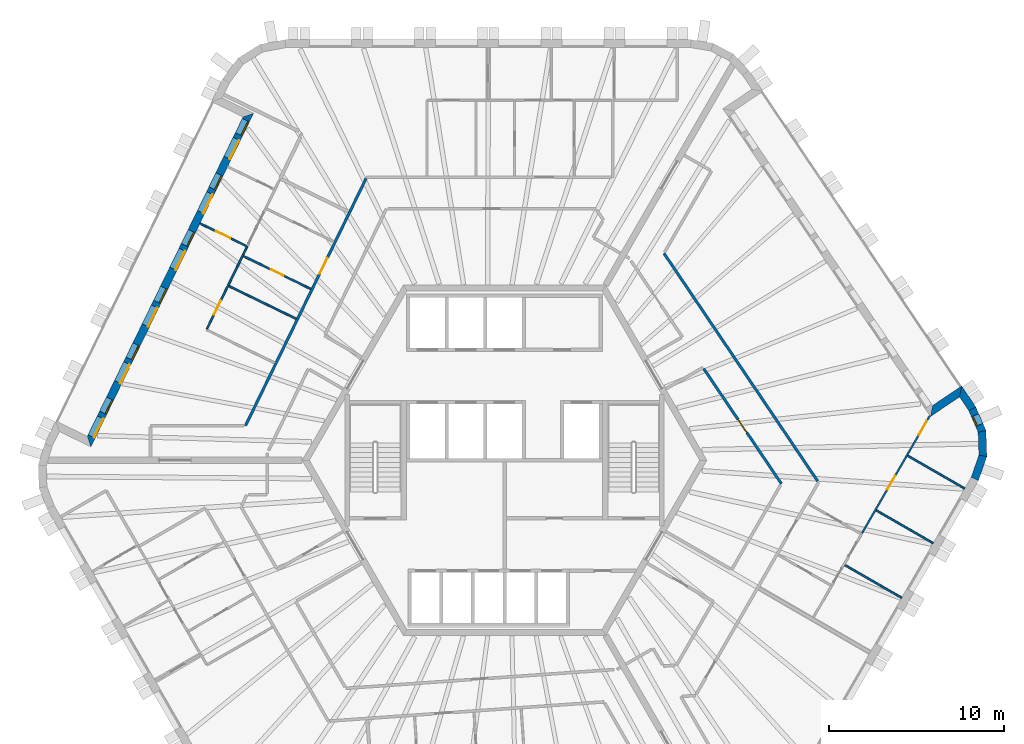
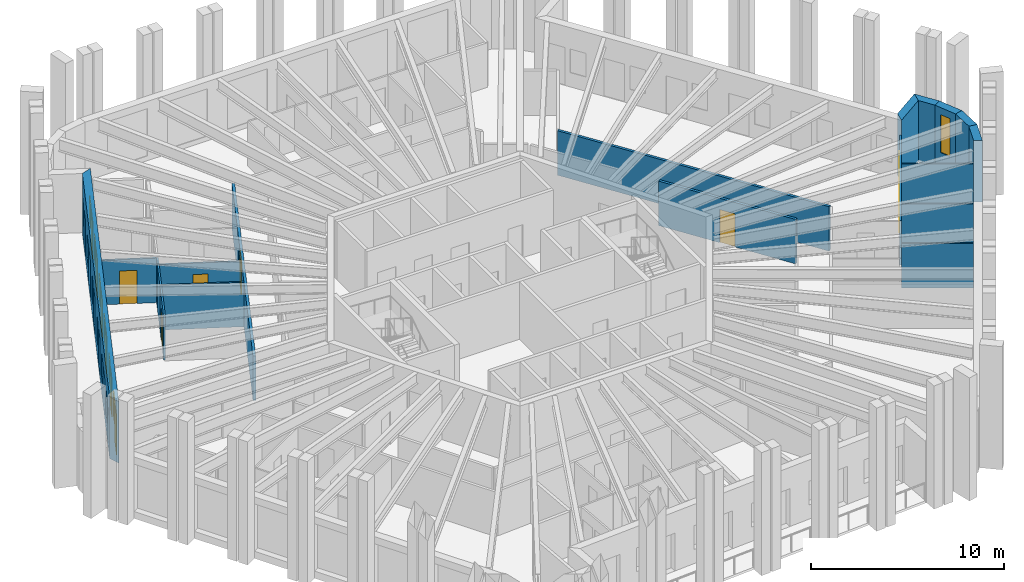
# One storey, part 7 of 12: 19 walls, 13 doors, 7 windows, 20 openings.
"""IFC4 building model written with IfcOpenShell, lengths in metres."""

from ifc_helpers import new_model, si_unit, direction, frame, frame_2d, origin, place, context, subcontext, project, spatial, polyline, rectangle, outline, extrude, material, layer, layer_set, type_object, element, fill, save


model = new_model("IFC4")

# Units and contexts
model_context = context("Model", 3, precision=1e-05, world=origin(), true_north=direction((0.0, 1.0)))
body_context = subcontext(model_context, "Body", "Model", "MODEL_VIEW")
ifc_project = project(units=[si_unit("LENGTHUNIT", "METRE"), si_unit("AREAUNIT", "SQUARE_METRE"), si_unit("VOLUMEUNIT", "CUBIC_METRE"), si_unit("PLANEANGLEUNIT", "RADIAN"), si_unit("MASSUNIT", "GRAM", prefix="KILO")], contexts=[model_context])

# Site, building, storey
site_placement = place(None, origin())
site = spatial("IfcSite", under=ifc_project, at=site_placement, CompositionType="ELEMENT")
building_placement = place(site_placement, origin())
building = spatial("IfcBuilding", under=site, at=building_placement, Name="Tarnside Tower", CompositionType="ELEMENT")
storey_placement = place(building_placement, frame((0.0, 0.0, 361.199951171875)))
storey = spatial("IfcBuildingStorey", under=building, at=storey_placement, Name="L87", CompositionType="ELEMENT", Elevation=361.199951171875)

# Wall
ifc_material_1 = material(Name="Gypsum board partition on steel studs", Category="steel")
ifc_layer_1 = layer(ifc_material_1, 0.10009765625)
ifc_layer_set_1 = layer_set([ifc_layer_1], Name="Bathroom wall 100")
wall_type_1 = type_object("IfcWallType", Name="Bathroom wall 100", PredefinedType="PARTITIONING", material=ifc_layer_set_1)
wall_1_placement = place(storey_placement, frame((-15.777587890625, 9.967041015625, 0.0), z_axis=(0.0, 0.0, 1.0), x_axis=(0.43840337997, 0.898778324411, 0.0)))
element("IfcWall", 1, at=wall_1_placement, inside=storey, type_object=wall_type_1, Name="Bathroom wall 28090", PredefinedType="PARTITIONING", context=body_context, shape_type="SweptSolid", body=[
    extrude(rectangle(XDim=1.900146484375, YDim=0.10009765625, at=frame_2d((0.9501953125, 0.0))), origin(), (0.0, 0.0, 1.0), 2.820068359375),
])

# Wall, opening, door
wall_2_placement = place(storey_placement, frame((-14.899658203125, 11.65283203125, 0.0), z_axis=(0.0, 0.0, 1.0), x_axis=(0.898792594469, -0.438374123469, 0.0)))
wall_2 = element("IfcWall", 2, at=wall_2_placement, inside=storey, type_object=wall_type_1, Name="Bathroom wall 28095", PredefinedType="PARTITIONING", context=body_context, shape_type="SweptSolid", body=[
    extrude(rectangle(XDim=4.27490234375, YDim=0.10009765625, at=frame_2d((2.137451171875, 0.0))), origin(), (0.0, 0.0, 1.0), 2.820068359375),
])
opening_1_placement = place(wall_2_placement, frame((1.75, 0.0, 0.0)))
opening_1 = element("IfcOpeningElement", 3, at=opening_1_placement, cuts=wall_2, Name="Opening D-B1", PredefinedType="OPENING", context=body_context, shape_type="SweptSolid", body=[
    extrude(rectangle(XDim=0.800048828125, YDim=2.10009765625, at=frame_2d((0.39990234375, 1.050048828125))), frame((0.0, 0.06005859375, 0.0), z_axis=(0.0, -1.0, 0.0), x_axis=(1.0, 0.0, 0.0)), (0.0, 0.0, 1.0), 0.1201171875),
])
ifc_material_2 = material(Name="Timber door leaf", Category="wood")
door_type_1 = type_object("IfcDoorType", Name="Bathroom door 800", OperationType="NOTDEFINED", PredefinedType="DOOR", material=ifc_material_2)
door_1_placement = place(opening_1_placement, origin())
door_1 = element("IfcDoor", 4, at=door_1_placement, inside=storey, type_object=door_type_1, Name="Bathroom door 28024", OperationType="SINGLE_SWING_RIGHT", OverallHeight=2.10009765625, OverallWidth=0.800048828125, PredefinedType="DOOR", context=body_context, shape_type="SweptSolid", body=[
    extrude(rectangle(XDim=0.800048828125, YDim=2.10009765625, at=frame_2d((0.39990234375, 1.050048828125))), frame((0.0, 0.02490234375, 0.0), z_axis=(0.0, -1.0, 0.0), x_axis=(1.0, 0.0, 0.0)), (0.0, 0.0, 1.0), 0.050048828125),
])
fill(opening_1, door_1)

# Wall
wall_3_placement = place(storey_placement, frame((-15.732666015625, 9.945068359375, 0.0), z_axis=(0.0, 0.0, 1.0), x_axis=(0.898803568504, -0.438351622837, 0.0)))
element("IfcWall", 5, at=wall_3_placement, inside=storey, type_object=wall_type_1, Name="Bathroom wall 28099", PredefinedType="PARTITIONING", context=body_context, shape_type="SweptSolid", body=[
    extrude(rectangle(XDim=4.275146484375, YDim=0.10009765625, at=frame_2d((2.1376953125, 0.0))), origin(), (0.0, 0.0, 1.0), 2.820068359375),
])

# Wall, opening, door
ifc_layer_2 = layer(ifc_material_1, 0.14990234375)
ifc_layer_set_2 = layer_set([ifc_layer_2], Name="Corridor wall 150 EI 60")
wall_type_2 = type_object("IfcWallType", Name="Corridor wall 150 EI 60", PredefinedType="PARTITIONING", material=ifc_layer_set_2)
wall_4_placement = place(storey_placement, frame((-7.903076171875, 16.074951171875, 0.0), z_axis=(0.0, 0.0, 1.0), x_axis=(-0.438364761272, -0.898797160696, 0.0)))
wall_4 = element("IfcWall", 6, at=wall_4_placement, inside=storey, type_object=wall_type_2, Name="Corridor wall 28002", PredefinedType="PARTITIONING", context=body_context, shape_type="SweptSolid", body=[
    extrude(rectangle(XDim=15.687744140625, YDim=0.14990234375, at=frame_2d((7.84375, 0.0))), origin(), (0.0, 0.0, 1.0), 2.820068359375),
])
opening_2_placement = place(wall_4_placement, frame((5.041748046875, 0.0, 0.0)))
opening_2 = element("IfcOpeningElement", 7, at=opening_2_placement, cuts=wall_4, Name="Opening D-E1", PredefinedType="OPENING", context=body_context, shape_type="SweptSolid", body=[
    extrude(rectangle(XDim=1.0, YDim=2.10009765625, at=frame_2d((0.5, 1.050048828125))), frame((0.0, 0.0849609375, 0.0), z_axis=(0.0, -1.0, 0.0), x_axis=(1.0, 0.0, 0.0)), (0.0, 0.0, 1.0), 0.169921875),
])
door_type_2 = type_object("IfcDoorType", Name="Unit entrance door 1000 FD30S", OperationType="NOTDEFINED", PredefinedType="DOOR", material=ifc_material_2)
door_2_placement = place(opening_2_placement, origin())
door_2 = element("IfcDoor", 8, at=door_2_placement, inside=storey, type_object=door_type_2, Name="Unit door 28015", OperationType="SINGLE_SWING_LEFT", OverallHeight=2.10009765625, OverallWidth=1.0, PredefinedType="DOOR", context=body_context, shape_type="SweptSolid", body=[
    extrude(rectangle(XDim=1.0, YDim=2.10009765625, at=frame_2d((0.5, 1.050048828125))), frame((0.0, 0.02490234375, 0.0), z_axis=(0.0, -1.0, 0.0), x_axis=(1.0, 0.0, 0.0)), (0.0, 0.0, 1.0), 0.050048828125),
])
fill(opening_2, door_2)

# Wall
wall_5_placement = place(storey_placement, frame((17.872802734375, -1.193359375, 0.0), z_axis=(0.0, 0.0, 1.0), x_axis=(-0.559188435605, 0.829040586151, 0.0)))
element("IfcWall", 9, at=wall_5_placement, inside=storey, type_object=wall_type_2, Name="Corridor wall 28054", PredefinedType="PARTITIONING", context=body_context, shape_type="SweptSolid", body=[
    extrude(rectangle(XDim=15.687744140625, YDim=0.14990234375, at=frame_2d((7.84375, 0.0))), origin(), (0.0, 0.0, 1.0), 2.820068359375),
])

# Wall, opening, door
wall_6_placement = place(storey_placement, frame((11.368408203125, 5.231201171875, 0.0), z_axis=(0.0, 0.0, 1.0), x_axis=(0.55919388604, -0.829036909803, 0.0)))
wall_6 = element("IfcWall", 10, at=wall_6_placement, inside=storey, type_object=wall_type_2, Name="Corridor wall 28060", PredefinedType="PARTITIONING", context=body_context, shape_type="SweptSolid", body=[
    extrude(rectangle(XDim=7.921875, YDim=0.14990234375, at=frame_2d((3.9609375, 0.0))), origin(), (0.0, 0.0, 1.0), 2.820068359375),
])
opening_3_placement = place(wall_6_placement, frame((3.510986328125, 0.0, 0.0)))
opening_3 = element("IfcOpeningElement", 11, at=opening_3_placement, cuts=wall_6, Name="Opening D-S1", PredefinedType="OPENING", context=body_context, shape_type="SweptSolid", body=[
    extrude(rectangle(XDim=0.89990234375, YDim=2.10009765625, at=frame_2d((0.449951171875, 1.050048828125))), frame((0.0, 0.0849609375, 0.0), z_axis=(0.0, -1.0, 0.0), x_axis=(1.0, 0.0, 0.0)), (0.0, 0.0, 1.0), 0.169921875),
])
door_type_3 = type_object("IfcDoorType", Name="Service room door 900 FD30S", OperationType="NOTDEFINED", PredefinedType="DOOR", material=ifc_material_2)
door_3_placement = place(opening_3_placement, origin())
door_3 = element("IfcDoor", 12, at=door_3_placement, inside=storey, type_object=door_type_3, Name="Service door 28067", OperationType="SINGLE_SWING_RIGHT", OverallHeight=2.10009765625, OverallWidth=0.89990234375, PredefinedType="DOOR", context=body_context, shape_type="SweptSolid", body=[
    extrude(rectangle(XDim=0.89990234375, YDim=2.10009765625, at=frame_2d((0.449951171875, 1.050048828125))), frame((0.0, 0.02490234375, 0.0), z_axis=(0.0, -1.0, 0.0), x_axis=(1.0, 0.0, 0.0)), (0.0, 0.0, 1.0), 0.050048828125),
])
fill(opening_3, door_3)

# Wall, openings, doors, windows
ifc_material_3 = material(Name="Dark zinc cladding")
ifc_layer_3 = layer(ifc_material_3, 0.10205078125)
ifc_material_4 = material(Name="Concrete C60/75 precast", Category="concrete")
ifc_layer_4 = layer(ifc_material_4, 0.248046875)
ifc_material_5 = material(Name="Mineral wool insulation")
ifc_layer_5 = layer(ifc_material_5, 0.10009765625)
ifc_layer_set_3 = layer_set([ifc_layer_3, ifc_layer_4, ifc_layer_5], Name="Loggia wall 450 zinc faced")
wall_type_3 = type_object("IfcWallType", Name="Loggia wall 450 zinc faced", PredefinedType="SOLIDWALL", material=ifc_layer_set_3)
wall_7_placement = place(storey_placement, frame((-14.618896484375, 19.699462890625, -0.14990234375), z_axis=(0.0, 0.0, 1.0), x_axis=(-0.438373747484, -0.898792777851, 0.0)))
wall_7 = element("IfcWall", 13, at=wall_7_placement, inside=storey, type_object=wall_type_3, Name="Tube wall L87 F2 back 06", PredefinedType="SOLIDWALL", context=body_context, shape_type="SweptSolid", body=[
    extrude(outline(polyline([(0.224853515625, -0.22509765625), (20.50634765625, -0.22509765625), (20.95654296875, 0.22509765625), (-0.224853515625, 0.22509765625), (0.224853515625, -0.22509765625)])), origin(), (0.0, 0.0, 1.0), 3.89990234375),
])
opening_4_placement = place(wall_7_placement, frame((0.324951171875, 0.0, 1.050048828125)))
opening_4 = element("IfcOpeningElement", 14, at=opening_4_placement, cuts=wall_7, Name="Opening WL450", PredefinedType="OPENING", context=body_context, shape_type="SweptSolid", body=[
    extrude(rectangle(XDim=0.89990234375, YDim=1.5, at=frame_2d((0.449951171875, 0.75))), frame((0.0, 0.23486328125, 0.0), z_axis=(0.0, -1.0, 0.0), x_axis=(1.0, 0.0, 0.0)), (0.0, 0.0, 1.0), 0.469970703125),
])
opening_5_placement = place(wall_7_placement, frame((1.52490234375, 0.0, 0.14990234375)))
opening_5 = element("IfcOpeningElement", 15, at=opening_5_placement, cuts=wall_7, Name="Opening DB450", PredefinedType="OPENING", context=body_context, shape_type="SweptSolid", body=[
    extrude(rectangle(XDim=1.199951171875, YDim=2.39990234375, at=frame_2d((0.60009765625, 1.199951171875))), frame((0.0, 0.23486328125, 0.0), z_axis=(0.0, -1.0, 0.0), x_axis=(1.0, 0.0, 0.0)), (0.0, 0.0, 1.0), 0.469970703125),
])
opening_6_placement = place(wall_7_placement, frame((3.765869140625, 0.0, 1.050048828125)))
opening_6 = element("IfcOpeningElement", 16, at=opening_6_placement, cuts=wall_7, Name="Opening WL450", PredefinedType="OPENING", context=body_context, shape_type="SweptSolid", body=[
    extrude(rectangle(XDim=0.89990234375, YDim=1.5, at=frame_2d((0.449951171875, 0.75))), frame((0.0, 0.23486328125, 0.0), z_axis=(0.0, -1.0, 0.0), x_axis=(1.0, 0.0, 0.0)), (0.0, 0.0, 1.0), 0.469970703125),
])
opening_7_placement = place(wall_7_placement, frame((4.9658203125, 0.0, 0.14990234375)))
opening_7 = element("IfcOpeningElement", 17, at=opening_7_placement, cuts=wall_7, Name="Opening DB450", PredefinedType="OPENING", context=body_context, shape_type="SweptSolid", body=[
    extrude(rectangle(XDim=1.199951171875, YDim=2.39990234375, at=frame_2d((0.60009765625, 1.199951171875))), frame((0.0, 0.23486328125, 0.0), z_axis=(0.0, -1.0, 0.0), x_axis=(1.0, 0.0, 0.0)), (0.0, 0.0, 1.0), 0.469970703125),
])
opening_8_placement = place(wall_7_placement, frame((7.36572265625, 0.0, 1.050048828125)))
opening_8 = element("IfcOpeningElement", 18, at=opening_8_placement, cuts=wall_7, Name="Opening WL450", PredefinedType="OPENING", context=body_context, shape_type="SweptSolid", body=[
    extrude(rectangle(XDim=0.89990234375, YDim=1.5, at=frame_2d((0.449951171875, 0.75))), frame((0.0, 0.23486328125, 0.0), z_axis=(0.0, -1.0, 0.0), x_axis=(1.0, 0.0, 0.0)), (0.0, 0.0, 1.0), 0.469970703125),
])
opening_9_placement = place(wall_7_placement, frame((8.56591796875, 0.0, 0.14990234375)))
opening_9 = element("IfcOpeningElement", 19, at=opening_9_placement, cuts=wall_7, Name="Opening DB450", PredefinedType="OPENING", context=body_context, shape_type="SweptSolid", body=[
    extrude(rectangle(XDim=1.199951171875, YDim=2.39990234375, at=frame_2d((0.60009765625, 1.199951171875))), frame((0.0, 0.23486328125, 0.0), z_axis=(0.0, -1.0, 0.0), x_axis=(1.0, 0.0, 0.0)), (0.0, 0.0, 1.0), 0.469970703125),
])
opening_10_placement = place(wall_7_placement, frame((10.9658203125, 0.0, 1.050048828125)))
opening_10 = element("IfcOpeningElement", 20, at=opening_10_placement, cuts=wall_7, Name="Opening WL450", PredefinedType="OPENING", context=body_context, shape_type="SweptSolid", body=[
    extrude(rectangle(XDim=0.89990234375, YDim=1.5, at=frame_2d((0.449951171875, 0.75))), frame((0.0, 0.23486328125, 0.0), z_axis=(0.0, -1.0, 0.0), x_axis=(1.0, 0.0, 0.0)), (0.0, 0.0, 1.0), 0.469970703125),
])
opening_11_placement = place(wall_7_placement, frame((12.165771484375, 0.0, 0.14990234375)))
opening_11 = element("IfcOpeningElement", 21, at=opening_11_placement, cuts=wall_7, Name="Opening DB450", PredefinedType="OPENING", context=body_context, shape_type="SweptSolid", body=[
    extrude(rectangle(XDim=1.199951171875, YDim=2.39990234375, at=frame_2d((0.60009765625, 1.199951171875))), frame((0.0, 0.23486328125, 0.0), z_axis=(0.0, -1.0, 0.0), x_axis=(1.0, 0.0, 0.0)), (0.0, 0.0, 1.0), 0.469970703125),
])
opening_12_placement = place(wall_7_placement, frame((14.56591796875, 0.0, 1.050048828125)))
opening_12 = element("IfcOpeningElement", 22, at=opening_12_placement, cuts=wall_7, Name="Opening WL450", PredefinedType="OPENING", context=body_context, shape_type="SweptSolid", body=[
    extrude(rectangle(XDim=0.89990234375, YDim=1.5, at=frame_2d((0.449951171875, 0.75))), frame((0.0, 0.23486328125, 0.0), z_axis=(0.0, -1.0, 0.0), x_axis=(1.0, 0.0, 0.0)), (0.0, 0.0, 1.0), 0.469970703125),
])
opening_13_placement = place(wall_7_placement, frame((15.765869140625, 0.0, 0.14990234375)))
opening_13 = element("IfcOpeningElement", 23, at=opening_13_placement, cuts=wall_7, Name="Opening DB450", PredefinedType="OPENING", context=body_context, shape_type="SweptSolid", body=[
    extrude(rectangle(XDim=1.199951171875, YDim=2.39990234375, at=frame_2d((0.60009765625, 1.199951171875))), frame((0.0, 0.23486328125, 0.0), z_axis=(0.0, -1.0, 0.0), x_axis=(1.0, 0.0, 0.0)), (0.0, 0.0, 1.0), 0.469970703125),
])
opening_14_placement = place(wall_7_placement, frame((18.006591796875, 0.0, 1.050048828125)))
opening_14 = element("IfcOpeningElement", 24, at=opening_14_placement, cuts=wall_7, Name="Opening WL450", PredefinedType="OPENING", context=body_context, shape_type="SweptSolid", body=[
    extrude(rectangle(XDim=0.89990234375, YDim=1.5, at=frame_2d((0.449951171875, 0.75))), frame((0.0, 0.23486328125, 0.0), z_axis=(0.0, -1.0, 0.0), x_axis=(1.0, 0.0, 0.0)), (0.0, 0.0, 1.0), 0.469970703125),
])
opening_15_placement = place(wall_7_placement, frame((19.20654296875, 0.0, 0.14990234375)))
opening_15 = element("IfcOpeningElement", 25, at=opening_15_placement, cuts=wall_7, Name="Opening DB450", PredefinedType="OPENING", context=body_context, shape_type="SweptSolid", body=[
    extrude(rectangle(XDim=1.199951171875, YDim=2.39990234375, at=frame_2d((0.60009765625, 1.199951171875))), frame((0.0, 0.23486328125, 0.0), z_axis=(0.0, -1.0, 0.0), x_axis=(1.0, 0.0, 0.0)), (0.0, 0.0, 1.0), 0.469970703125),
])
ifc_material_6 = material(Name="Aluminium-framed double glazing", Category="aluminium")
door_type_4 = type_object("IfcDoorType", Name="Balcony sliding door 1200 x 2400 in 450 wall", OperationType="SLIDING_TO_LEFT", PredefinedType="DOOR", material=ifc_material_6)
door_4_placement = place(opening_5_placement, frame((0.0, 0.150146484375, 0.0)))
door_4 = element("IfcDoor", 26, at=door_4_placement, inside=storey, type_object=door_type_4, Name="E.BD.L87.F2.00", OperationType="SLIDING_TO_LEFT", OverallHeight=2.39990234375, OverallWidth=1.199951171875, PredefinedType="DOOR", context=body_context, shape_type="SweptSolid", body=[
    extrude(rectangle(XDim=1.199951171875, YDim=2.39990234375, at=frame_2d((0.60009765625, 1.199951171875))), frame((0.0, 0.02490234375, 0.0), z_axis=(0.0, -1.0, 0.0), x_axis=(1.0, 0.0, 0.0)), (0.0, 0.0, 1.0), 0.050048828125),
])
fill(opening_5, door_4)
door_5_placement = place(opening_7_placement, frame((0.0, 0.150146484375, 0.0)))
door_5 = element("IfcDoor", 27, at=door_5_placement, inside=storey, type_object=door_type_4, Name="E.BD.L87.F2.01", OperationType="SLIDING_TO_LEFT", OverallHeight=2.39990234375, OverallWidth=1.199951171875, PredefinedType="DOOR", context=body_context, shape_type="SweptSolid", body=[
    extrude(rectangle(XDim=1.199951171875, YDim=2.39990234375, at=frame_2d((0.60009765625, 1.199951171875))), frame((0.0, 0.02490234375, 0.0), z_axis=(0.0, -1.0, 0.0), x_axis=(1.0, 0.0, 0.0)), (0.0, 0.0, 1.0), 0.050048828125),
])
fill(opening_7, door_5)
door_6_placement = place(opening_9_placement, frame((0.0, 0.150146484375, 0.0)))
door_6 = element("IfcDoor", 28, at=door_6_placement, inside=storey, type_object=door_type_4, Name="E.BD.L87.F2.02", OperationType="SLIDING_TO_LEFT", OverallHeight=2.39990234375, OverallWidth=1.199951171875, PredefinedType="DOOR", context=body_context, shape_type="SweptSolid", body=[
    extrude(rectangle(XDim=1.199951171875, YDim=2.39990234375, at=frame_2d((0.60009765625, 1.199951171875))), frame((0.0, 0.02490234375, 0.0), z_axis=(0.0, -1.0, 0.0), x_axis=(1.0, 0.0, 0.0)), (0.0, 0.0, 1.0), 0.050048828125),
])
fill(opening_9, door_6)
door_7_placement = place(opening_11_placement, frame((0.0, 0.150146484375, 0.0)))
door_7 = element("IfcDoor", 29, at=door_7_placement, inside=storey, type_object=door_type_4, Name="E.BD.L87.F2.03", OperationType="SLIDING_TO_LEFT", OverallHeight=2.39990234375, OverallWidth=1.199951171875, PredefinedType="DOOR", context=body_context, shape_type="SweptSolid", body=[
    extrude(rectangle(XDim=1.199951171875, YDim=2.39990234375, at=frame_2d((0.60009765625, 1.199951171875))), frame((0.0, 0.02490234375, 0.0), z_axis=(0.0, -1.0, 0.0), x_axis=(1.0, 0.0, 0.0)), (0.0, 0.0, 1.0), 0.050048828125),
])
fill(opening_11, door_7)
door_8_placement = place(opening_13_placement, frame((0.0, 0.150146484375, 0.0)))
door_8 = element("IfcDoor", 30, at=door_8_placement, inside=storey, type_object=door_type_4, Name="E.BD.L87.F2.04", OperationType="SLIDING_TO_LEFT", OverallHeight=2.39990234375, OverallWidth=1.199951171875, PredefinedType="DOOR", context=body_context, shape_type="SweptSolid", body=[
    extrude(rectangle(XDim=1.199951171875, YDim=2.39990234375, at=frame_2d((0.60009765625, 1.199951171875))), frame((0.0, 0.02490234375, 0.0), z_axis=(0.0, -1.0, 0.0), x_axis=(1.0, 0.0, 0.0)), (0.0, 0.0, 1.0), 0.050048828125),
])
fill(opening_13, door_8)
door_9_placement = place(opening_15_placement, frame((0.0, 0.150146484375, 0.0)))
door_9 = element("IfcDoor", 31, at=door_9_placement, inside=storey, type_object=door_type_4, Name="E.BD.L87.F2.05", OperationType="SLIDING_TO_LEFT", OverallHeight=2.39990234375, OverallWidth=1.199951171875, PredefinedType="DOOR", context=body_context, shape_type="SweptSolid", body=[
    extrude(rectangle(XDim=1.199951171875, YDim=2.39990234375, at=frame_2d((0.60009765625, 1.199951171875))), frame((0.0, 0.02490234375, 0.0), z_axis=(0.0, -1.0, 0.0), x_axis=(1.0, 0.0, 0.0)), (0.0, 0.0, 1.0), 0.050048828125),
])
fill(opening_15, door_9)
window_type_1 = type_object("IfcWindowType", Name="Loggia window 900 x 1500 in 450 wall", PartitioningType="SINGLE_PANEL", PredefinedType="WINDOW", material=ifc_material_6)
window_1_placement = place(opening_4_placement, frame((0.0, 0.1552734375, 0.0)))
window_1 = element("IfcWindow", 32, at=window_1_placement, inside=storey, type_object=window_type_1, Name="E.LW.L87.F2.00", OverallHeight=1.5, OverallWidth=0.89990234375, PartitioningType="SINGLE_PANEL", PredefinedType="WINDOW", context=body_context, shape_type="SweptSolid", body=[
    extrude(rectangle(XDim=0.89990234375, YDim=1.5, at=frame_2d((0.449951171875, 0.75))), frame((0.0, 0.030029296875, 0.0), z_axis=(0.0, -1.0, 0.0), x_axis=(1.0, 0.0, 0.0)), (0.0, 0.0, 1.0), 0.06005859375),
])
fill(opening_4, window_1)
window_2_placement = place(opening_6_placement, frame((0.0, 0.1552734375, 0.0)))
window_2 = element("IfcWindow", 33, at=window_2_placement, inside=storey, type_object=window_type_1, Name="E.LW.L87.F2.01", OverallHeight=1.5, OverallWidth=0.89990234375, PartitioningType="SINGLE_PANEL", PredefinedType="WINDOW", context=body_context, shape_type="SweptSolid", body=[
    extrude(rectangle(XDim=0.89990234375, YDim=1.5, at=frame_2d((0.449951171875, 0.75))), frame((0.0, 0.030029296875, 0.0), z_axis=(0.0, -1.0, 0.0), x_axis=(1.0, 0.0, 0.0)), (0.0, 0.0, 1.0), 0.06005859375),
])
fill(opening_6, window_2)
window_3_placement = place(opening_8_placement, frame((0.0, 0.1552734375, 0.0)))
window_3 = element("IfcWindow", 34, at=window_3_placement, inside=storey, type_object=window_type_1, Name="E.LW.L87.F2.02", OverallHeight=1.5, OverallWidth=0.89990234375, PartitioningType="SINGLE_PANEL", PredefinedType="WINDOW", context=body_context, shape_type="SweptSolid", body=[
    extrude(rectangle(XDim=0.89990234375, YDim=1.5, at=frame_2d((0.449951171875, 0.75))), frame((0.0, 0.030029296875, 0.0), z_axis=(0.0, -1.0, 0.0), x_axis=(1.0, 0.0, 0.0)), (0.0, 0.0, 1.0), 0.06005859375),
])
fill(opening_8, window_3)
window_4_placement = place(opening_10_placement, frame((0.0, 0.1552734375, 0.0)))
window_4 = element("IfcWindow", 35, at=window_4_placement, inside=storey, type_object=window_type_1, Name="E.LW.L87.F2.03", OverallHeight=1.5, OverallWidth=0.89990234375, PartitioningType="SINGLE_PANEL", PredefinedType="WINDOW", context=body_context, shape_type="SweptSolid", body=[
    extrude(rectangle(XDim=0.89990234375, YDim=1.5, at=frame_2d((0.449951171875, 0.75))), frame((0.0, 0.030029296875, 0.0), z_axis=(0.0, -1.0, 0.0), x_axis=(1.0, 0.0, 0.0)), (0.0, 0.0, 1.0), 0.06005859375),
])
fill(opening_10, window_4)
window_5_placement = place(opening_12_placement, frame((0.0, 0.1552734375, 0.0)))
window_5 = element("IfcWindow", 36, at=window_5_placement, inside=storey, type_object=window_type_1, Name="E.LW.L87.F2.04", OverallHeight=1.5, OverallWidth=0.89990234375, PartitioningType="SINGLE_PANEL", PredefinedType="WINDOW", context=body_context, shape_type="SweptSolid", body=[
    extrude(rectangle(XDim=0.89990234375, YDim=1.5, at=frame_2d((0.449951171875, 0.75))), frame((0.0, 0.030029296875, 0.0), z_axis=(0.0, -1.0, 0.0), x_axis=(1.0, 0.0, 0.0)), (0.0, 0.0, 1.0), 0.06005859375),
])
fill(opening_12, window_5)
window_6_placement = place(opening_14_placement, frame((0.0, 0.1552734375, 0.0)))
window_6 = element("IfcWindow", 37, at=window_6_placement, inside=storey, type_object=window_type_1, Name="E.LW.L87.F2.05", OverallHeight=1.5, OverallWidth=0.89990234375, PartitioningType="SINGLE_PANEL", PredefinedType="WINDOW", context=body_context, shape_type="SweptSolid", body=[
    extrude(rectangle(XDim=0.89990234375, YDim=1.5, at=frame_2d((0.449951171875, 0.75))), frame((0.0, 0.030029296875, 0.0), z_axis=(0.0, -1.0, 0.0), x_axis=(1.0, 0.0, 0.0)), (0.0, 0.0, 1.0), 0.06005859375),
])
fill(opening_14, window_6)

# Walls
wall_8_placement = place(storey_placement, frame((26.69873046875, 2.93408203125, -0.14990234375), z_axis=(0.0, 0.0, 1.0), x_axis=(-0.559105892217, 0.829096255744, 0.0)))
element("IfcWall", 38, at=wall_8_placement, inside=storey, type_object=wall_type_3, Name="Tube wall L87 F6 stub 28", PredefinedType="SOLIDWALL", context=body_context, shape_type="SweptSolid", body=[
    extrude(outline(polyline([(-0.02099609375, -0.22509765625), (1.4248046875, -0.22509765625), (0.97509765625, 0.22509765625), (0.02099609375, 0.22509765625), (-0.02099609375, -0.22509765625)])), origin(), (0.0, 0.0, 1.0), 3.89990234375),
])
wall_9_placement = place(storey_placement, frame((26.02783203125, 3.928955078125, -0.14990234375), z_axis=(0.0, 0.0, 1.0), x_axis=(-0.829052389485, -0.559170935841, 0.0)))
element("IfcWall", 39, at=wall_9_placement, inside=storey, type_object=wall_type_3, Name="Tube wall L87 F6 return 29", PredefinedType="SOLIDWALL", context=body_context, shape_type="SweptSolid", body=[
    extrude(outline(polyline([(-0.224853515625, -0.22509765625), (1.77490234375, -0.22509765625), (2.22509765625, 0.22509765625), (0.224853515625, 0.22509765625), (-0.224853515625, -0.22509765625)])), origin(), (0.0, 0.0, 1.0), 3.89990234375),
])
ifc_layer_6 = layer(ifc_material_1, 0.10009765625)
ifc_layer_set_4 = layer_set([ifc_layer_6], Name="Partition 100")
wall_type_4 = type_object("IfcWallType", Name="Partition 100", PredefinedType="PARTITIONING", material=ifc_layer_set_4)
wall_10_placement = place(storey_placement, frame((-14.922607421875, 11.7197265625, 0.0), z_axis=(0.0, 0.0, 1.0), x_axis=(0.438174929392, 0.898889721408, 0.0)))
element("IfcWall", 40, at=wall_10_placement, inside=storey, type_object=wall_type_4, Name="Partition wall 28088", PredefinedType="PARTITIONING", context=body_context, shape_type="SweptSolid", body=[
    extrude(rectangle(XDim=0.54150390625, YDim=0.10009765625, at=frame_2d((0.270751953125, 0.0))), origin(), (0.0, 0.0, 1.0), 2.820068359375),
])

# Wall, opening, door
wall_11_placement = place(storey_placement, frame((-14.73095703125, 12.2265625, 0.0), z_axis=(0.0, 0.0, 1.0), x_axis=(-0.898802642499, 0.438353521528, 0.0)))
wall_11 = element("IfcWall", 41, at=wall_11_placement, inside=storey, type_object=wall_type_4, Name="Partition wall 28089", PredefinedType="PARTITIONING", context=body_context, shape_type="SweptSolid", body=[
    extrude(rectangle(XDim=2.9501953125, YDim=0.10009765625, at=frame_2d((1.47509765625, 0.0))), origin(), (0.0, 0.0, 1.0), 2.820068359375),
])
opening_16_placement = place(wall_11_placement, frame((1.02490234375, 0.0, 0.0)))
opening_16 = element("IfcOpeningElement", 42, at=opening_16_placement, cuts=wall_11, Name="Opening D-I1", PredefinedType="OPENING", context=body_context, shape_type="SweptSolid", body=[
    extrude(rectangle(XDim=0.89990234375, YDim=2.10009765625, at=frame_2d((0.449951171875, 1.050048828125))), frame((0.0, 0.06005859375, 0.0), z_axis=(0.0, -1.0, 0.0), x_axis=(1.0, 0.0, 0.0)), (0.0, 0.0, 1.0), 0.1201171875),
])
door_type_5 = type_object("IfcDoorType", Name="Internal door 900", OperationType="NOTDEFINED", PredefinedType="DOOR", material=ifc_material_2)
door_10_placement = place(opening_16_placement, origin())
door_10 = element("IfcDoor", 43, at=door_10_placement, inside=storey, type_object=door_type_5, Name="Internal door 28061", OperationType="SINGLE_SWING_LEFT", OverallHeight=2.10009765625, OverallWidth=0.89990234375, PredefinedType="DOOR", context=body_context, shape_type="SweptSolid", body=[
    extrude(rectangle(XDim=0.89990234375, YDim=2.10009765625, at=frame_2d((0.449951171875, 1.050048828125))), frame((0.0, 0.02490234375, 0.0), z_axis=(0.0, -1.0, 0.0), x_axis=(1.0, 0.0, 0.0)), (0.0, 0.0, 1.0), 0.050048828125),
])
fill(opening_16, door_10)

wall_12_placement = place(storey_placement, frame((-16.983154296875, 7.495361328125, 0.0), z_axis=(0.0, 0.0, 1.0), x_axis=(0.438366623032, 0.898796252669, 0.0)))
wall_12 = element("IfcWall", 44, at=wall_12_placement, inside=storey, type_object=wall_type_4, Name="Partition wall 28092", PredefinedType="PARTITIONING", context=body_context, shape_type="SweptSolid", body=[
    extrude(rectangle(XDim=2.699951171875, YDim=0.10009765625, at=frame_2d((1.35009765625, 0.0))), origin(), (0.0, 0.0, 1.0), 2.820068359375),
])
opening_17_placement = place(wall_12_placement, frame((0.89990234375, 0.0, 0.0)))
opening_17 = element("IfcOpeningElement", 45, at=opening_17_placement, cuts=wall_12, Name="Opening D-I1", PredefinedType="OPENING", context=body_context, shape_type="SweptSolid", body=[
    extrude(rectangle(XDim=0.89990234375, YDim=2.10009765625, at=frame_2d((0.449951171875, 1.050048828125))), frame((0.0, 0.06005859375, 0.0), z_axis=(0.0, -1.0, 0.0), x_axis=(1.0, 0.0, 0.0)), (0.0, 0.0, 1.0), 0.1201171875),
])
door_11_placement = place(opening_17_placement, origin())
door_11 = element("IfcDoor", 46, at=door_11_placement, inside=storey, type_object=door_type_5, Name="Internal door 28025", OperationType="SINGLE_SWING_RIGHT", OverallHeight=2.10009765625, OverallWidth=0.89990234375, PredefinedType="DOOR", context=body_context, shape_type="SweptSolid", body=[
    extrude(rectangle(XDim=0.89990234375, YDim=2.10009765625, at=frame_2d((0.449951171875, 1.050048828125))), frame((0.0, 0.02490234375, 0.0), z_axis=(0.0, -1.0, 0.0), x_axis=(1.0, 0.0, 0.0)), (0.0, 0.0, 1.0), 0.050048828125),
])
fill(opening_17, door_11)

# Wall, openings, doors
wall_13_placement = place(storey_placement, frame((20.393798828125, -4.177001953125, 0.0), z_axis=(0.0, 0.0, 1.0), x_axis=(0.499991012162, 0.866030592853, 0.0)))
wall_13 = element("IfcWall", 47, at=wall_13_placement, inside=storey, type_object=wall_type_4, Name="Partition wall 28130", PredefinedType="PARTITIONING", context=body_context, shape_type="SweptSolid", body=[
    extrude(rectangle(XDim=7.764404296875, YDim=0.10009765625, at=frame_2d((3.88232421875, 0.0))), origin(), (0.0, 0.0, 1.0), 2.820068359375),
])
opening_18_placement = place(wall_13_placement, frame((2.902099609375, 0.0, 0.0)))
opening_18 = element("IfcOpeningElement", 48, at=opening_18_placement, cuts=wall_13, Name="Opening D-I1", PredefinedType="OPENING", context=body_context, shape_type="SweptSolid", body=[
    extrude(rectangle(XDim=0.89990234375, YDim=2.10009765625, at=frame_2d((0.449951171875, 1.050048828125))), frame((0.0, 0.06005859375, 0.0), z_axis=(0.0, -1.0, 0.0), x_axis=(1.0, 0.0, 0.0)), (0.0, 0.0, 1.0), 0.1201171875),
])
opening_19_placement = place(wall_13_placement, frame((6.501953125, 0.0, 0.0)))
opening_19 = element("IfcOpeningElement", 49, at=opening_19_placement, cuts=wall_13, Name="Opening D-I1", PredefinedType="OPENING", context=body_context, shape_type="SweptSolid", body=[
    extrude(rectangle(XDim=0.89990234375, YDim=2.10009765625, at=frame_2d((0.449951171875, 1.050048828125))), frame((0.0, 0.06005859375, 0.0), z_axis=(0.0, -1.0, 0.0), x_axis=(1.0, 0.0, 0.0)), (0.0, 0.0, 1.0), 0.1201171875),
])
door_12_placement = place(opening_18_placement, origin())
door_12 = element("IfcDoor", 50, at=door_12_placement, inside=storey, type_object=door_type_5, Name="Internal door 28058", OperationType="SINGLE_SWING_LEFT", OverallHeight=2.10009765625, OverallWidth=0.89990234375, PredefinedType="DOOR", context=body_context, shape_type="SweptSolid", body=[
    extrude(rectangle(XDim=0.89990234375, YDim=2.10009765625, at=frame_2d((0.449951171875, 1.050048828125))), frame((0.0, 0.02490234375, 0.0), z_axis=(0.0, -1.0, 0.0), x_axis=(1.0, 0.0, 0.0)), (0.0, 0.0, 1.0), 0.050048828125),
])
fill(opening_18, door_12)
door_13_placement = place(opening_19_placement, origin())
door_13 = element("IfcDoor", 51, at=door_13_placement, inside=storey, type_object=door_type_5, Name="Internal door 28059", OperationType="SINGLE_SWING_LEFT", OverallHeight=2.10009765625, OverallWidth=0.89990234375, PredefinedType="DOOR", context=body_context, shape_type="SweptSolid", body=[
    extrude(rectangle(XDim=0.89990234375, YDim=2.10009765625, at=frame_2d((0.449951171875, 1.050048828125))), frame((0.0, 0.02490234375, 0.0), z_axis=(0.0, -1.0, 0.0), x_axis=(1.0, 0.0, 0.0)), (0.0, 0.0, 1.0), 0.050048828125),
])
fill(opening_19, door_13)

# Walls
for number, where, z_axis, x_axis, name in (
    (52, (22.66064453125, -7.8505859375, 0.0), (0.0, 0.0, 1.0), (-0.866022959057, 0.500004234368, 0.0), "Partition wall 28137"),
    (53, (24.460693359375, -4.73291015625, 0.0), (0.0, 0.0, 1.0), (-0.866022959057, 0.500004234368, 0.0), "Partition wall 28138"),
    (54, (26.2607421875, -1.615234375, 0.0), (0.0, 0.0, 1.0), (-0.866022959057, 0.500004234368, 0.0), "Partition wall 28139"),
):
    element("IfcWall", number, at=place(storey_placement, frame(where, z_axis=z_axis, x_axis=x_axis)), inside=storey, type_object=wall_type_4, Name=name, PredefinedType="PARTITIONING", context=body_context, shape_type="SweptSolid", body=[
        extrude(rectangle(XDim=3.75, YDim=0.10009765625, at=frame_2d((1.875, 0.0))), origin(), (0.0, 0.0, 1.0), 2.820068359375),
    ])
ifc_material_7 = material(Name="Facing brick", Category="masonry")
ifc_layer_7 = layer(ifc_material_7, 0.10205078125)
ifc_layer_8 = layer(ifc_material_4, 0.248046875)
ifc_layer_9 = layer(ifc_material_5, 0.10009765625)
ifc_layer_set_5 = layer_set([ifc_layer_7, ifc_layer_8, ifc_layer_9], Name="Tube wall 450 brick faced")
wall_type_5 = type_object("IfcWallType", Name="Tube wall 450 brick faced", PredefinedType="SOLIDWALL", material=ifc_layer_set_5)
wall_14_placement = place(storey_placement, frame((26.83837890625, -1.064453125, -0.14990234375), z_axis=(0.0, 0.0, 1.0), x_axis=(0.331074067573, 0.943604769901, 0.0)))
element("IfcWall", 55, at=wall_14_placement, inside=storey, type_object=wall_type_5, Name="Tube wall L87 F5 chord 25", PredefinedType="SOLIDWALL", context=body_context, shape_type="SweptSolid", body=[
    extrude(outline(polyline([(-0.02099609375, -0.22509765625), (1.43994140625, -0.22509765625), (1.35498046875, 0.22509765625), (0.02099609375, 0.22509765625), (-0.02099609375, -0.22509765625)])), origin(), (0.0, 0.0, 1.0), 3.89990234375),
])
wall_15_placement = place(storey_placement, frame((27.301025390625, 0.254150390625, -0.14990234375), z_axis=(0.0, 0.0, 1.0), x_axis=(-0.034763104447, 0.999395580623, 0.0)))
element("IfcWall", 56, at=wall_15_placement, inside=storey, type_object=wall_type_5, Name="Tube wall L87 F5 chord 26", PredefinedType="SOLIDWALL", context=body_context, shape_type="SweptSolid", body=[
    extrude(outline(polyline([(-0.04248046875, -0.22509765625), (1.43994140625, -0.22509765625), (1.35498046875, 0.22509765625), (0.04248046875, 0.22509765625), (-0.04248046875, -0.22509765625)])), origin(), (0.0, 0.0, 1.0), 3.89990234375),
])

# Wall, opening, window
wall_16_placement = place(storey_placement, frame((27.25244140625, 1.65087890625, -0.14990234375), z_axis=(0.0, 0.0, 1.0), x_axis=(-0.396195073027, 0.918166359713, 0.0)))
wall_16 = element("IfcWall", 57, at=wall_16_placement, inside=storey, type_object=wall_type_5, Name="Tube wall L87 F5 chord 27", PredefinedType="SOLIDWALL", context=body_context, shape_type="SweptSolid", body=[
    extrude(outline(polyline([(-0.04248046875, -0.22509765625), (1.41845703125, -0.22509765625), (1.37646484375, 0.22509765625), (0.04248046875, 0.22509765625), (-0.04248046875, -0.22509765625)])), origin(), (0.0, 0.0, 1.0), 3.89990234375),
])
opening_20_placement = place(wall_16_placement, frame((0.398681640625, 0.0, 1.050048828125)))
opening_20 = element("IfcOpeningElement", 58, at=opening_20_placement, cuts=wall_16, Name="Opening WC", PredefinedType="OPENING", context=body_context, shape_type="SweptSolid", body=[
    extrude(rectangle(XDim=0.60009765625, YDim=2.39990234375, at=frame_2d((0.300048828125, 1.199951171875))), frame((0.0, 0.23486328125, 0.0), z_axis=(0.0, -1.0, 0.0), x_axis=(1.0, 0.0, 0.0)), (0.0, 0.0, 1.0), 0.469970703125),
])
window_type_2 = type_object("IfcWindowType", Name="Corner slot window 600 x 2400", PartitioningType="SINGLE_PANEL", PredefinedType="WINDOW", material=ifc_material_6)
window_7_placement = place(opening_20_placement, frame((0.0, 0.1552734375, 0.0)))
window_7 = element("IfcWindow", 59, at=window_7_placement, inside=storey, type_object=window_type_2, Name="E.CW.L87.4.27", OverallHeight=2.39990234375, OverallWidth=0.60009765625, PartitioningType="SINGLE_PANEL", PredefinedType="WINDOW", context=body_context, shape_type="SweptSolid", body=[
    extrude(rectangle(XDim=0.60009765625, YDim=2.39990234375, at=frame_2d((0.300048828125, 1.199951171875))), frame((0.0, 0.030029296875, 0.0), z_axis=(0.0, -1.0, 0.0), x_axis=(1.0, 0.0, 0.0)), (0.0, 0.0, 1.0), 0.06005859375),
])
fill(opening_20, window_7)

save(model, "model.ifc")
